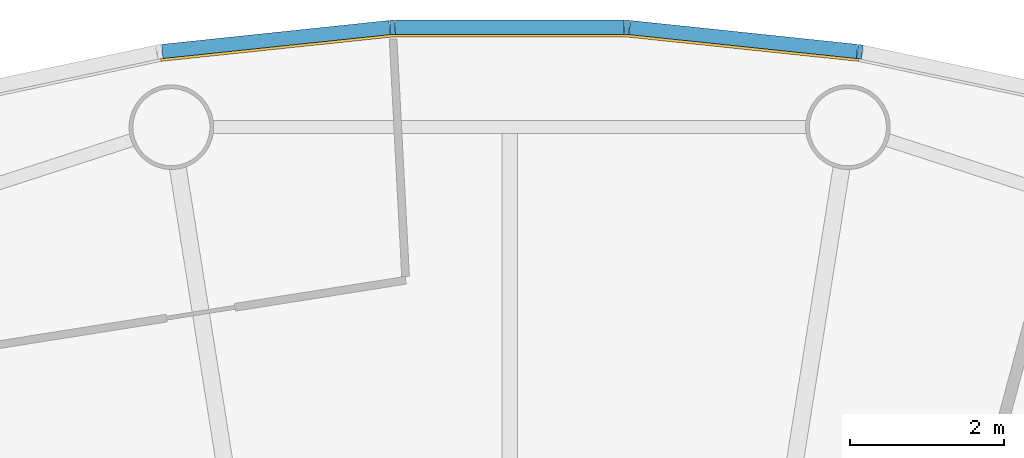
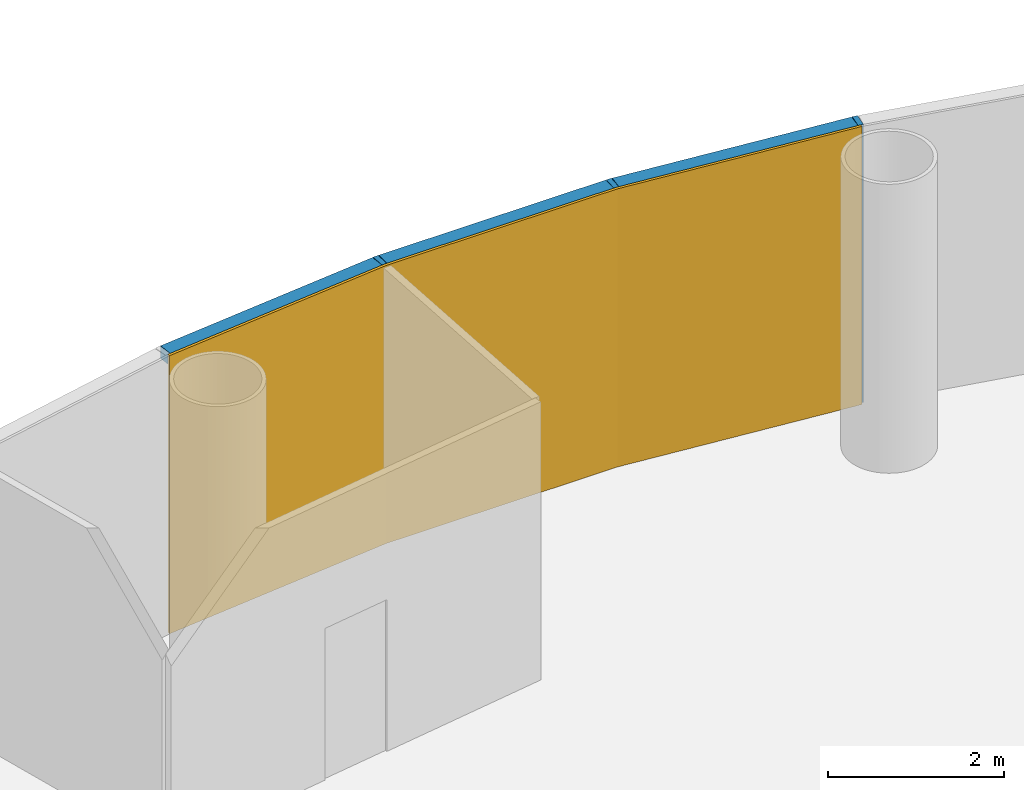
# One storey, part 10 of 12: 6 members, 1 curtain wall.
"""IFC4 building model written with IfcOpenShell, lengths in metres."""

import ifcopenshell
import ifcopenshell.guid

model = None  # the IFC model being written
_history = None  # IfcOwnerHistory: only IFC2X3 demands one
_inside = {}  # id of a spatial element -> (the spatial element, [elements in it])
_under = {}  # id of a project, library or spatial element -> (it, [spatial elements below it])
_declared = {}  # id of a project -> (the project, [libraries it declares])
_typed = {}  # id of a type object -> (the type object, [elements of that type])
_made_of = {}  # id of a material, layer set ... -> (it, [elements and type objects made of it])


def new_model(schema):
    """Start an empty IFC model of exactly this schema.

    Asked for "IFC4X3", IfcOpenShell would pick the latest addendum, in which some entities
    have other attributes; the version numbers below select the first issue.
    IFC2X3 requires an IfcOwnerHistory on every rooted entity: one is made here for all.
    """
    global model, _history
    if schema == "IFC4X3":
        model = ifcopenshell.file(schema_version=(4, 3, 0, 0))
    else:
        model = ifcopenshell.file(schema=schema)
    _inside.clear()
    _under.clear()
    _declared.clear()
    _typed.clear()
    _made_of.clear()
    _history = None
    if model.schema == "IFC2X3":
        org = make("IfcOrganization", Name="unknown")
        user = make(
            "IfcPersonAndOrganization",
            ThePerson=make("IfcPerson", FamilyName="unknown"),
            TheOrganization=org,
        )
        app = make(
            "IfcApplication",
            ApplicationDeveloper=org,
            Version="unknown",
            ApplicationFullName="unknown",
            ApplicationIdentifier="unknown",
        )
        _history = make(
            "IfcOwnerHistory",
            OwningUser=user,
            OwningApplication=app,
            ChangeAction="ADDED",
            CreationDate=0,
        )
    return model


def make(cls, **values):
    """One entity of the class cls with the attributes given. An attribute that is None is left unset."""
    return model.create_entity(
        cls, **{name: value for name, value in values.items() if value is not None}
    )


def rooted(cls, **values):
    """An entity with a GlobalId (a new one), such as an element, a storey or a relation."""
    return make(cls, GlobalId=ifcopenshell.guid.new(), OwnerHistory=_history, **values)


def si_unit(unit_type, name, prefix=None):
    """IfcSIUnit, for example si_unit("LENGTHUNIT", "METRE", prefix="MILLI")."""
    return make("IfcSIUnit", UnitType=unit_type, Prefix=prefix, Name=name)


def assignment(units):
    """IfcUnitAssignment: the units of a project."""
    return None if units is None else make("IfcUnitAssignment", Units=units)


def point(xyz):
    """IfcCartesianPoint."""
    return None if xyz is None else make("IfcCartesianPoint", Coordinates=xyz)


def direction(xyz):
    """IfcDirection."""
    return None if xyz is None else make("IfcDirection", DirectionRatios=xyz)


def frame(location, z_axis=None, x_axis=None):
    """IfcAxis2Placement3D, a coordinate frame: its origin and axes. An axis left out is left unset."""
    return make(
        "IfcAxis2Placement3D",
        Location=point(location),
        Axis=direction(z_axis),
        RefDirection=direction(x_axis),
    )


def frame_2d(location, x_axis=None):
    """IfcAxis2Placement2D, a coordinate frame in the plane: its origin and x axis."""
    return make(
        "IfcAxis2Placement2D", Location=point(location), RefDirection=direction(x_axis)
    )


def origin():
    """The frame at (0, 0, 0) with its axes left unset."""
    return frame((0.0, 0.0, 0.0))


def origin_2d():
    """The frame at (0, 0) in the plane with its x axis left unset."""
    return frame_2d((0.0, 0.0))


def place(relative_to, where):
    """IfcLocalPlacement: puts the frame where relative to a parent placement (None: the world)."""
    return make(
        "IfcLocalPlacement", PlacementRelTo=relative_to, RelativePlacement=where
    )


def context(
    kind, dimensions, precision=None, world=None, true_north=None, identifier=None
):
    """IfcGeometricRepresentationContext, for example the 3D "Model" context."""
    return make(
        "IfcGeometricRepresentationContext",
        ContextIdentifier=identifier,
        ContextType=kind,
        CoordinateSpaceDimension=dimensions,
        Precision=precision,
        WorldCoordinateSystem=world,
        TrueNorth=true_north,
    )


def subcontext(parent, identifier, kind, view, scale=None):
    """IfcGeometricRepresentationSubContext, for example "Body" below "Model"."""
    return make(
        "IfcGeometricRepresentationSubContext",
        ContextIdentifier=identifier,
        ContextType=kind,
        ParentContext=parent,
        TargetScale=scale,
        TargetView=view,
    )


def project(units=None, contexts=None):
    """IfcProject with its units and contexts."""
    return rooted(
        "IfcProject",
        Name="project",
        RepresentationContexts=contexts,
        UnitsInContext=assignment(units),
    )


def spatial(cls, under=None, at=None, **own):
    """A site, building, storey or space (cls), placed at a placement, below another one or the project."""
    s = rooted(cls, ObjectPlacement=at, **own)
    if under is not None:
        _under.setdefault(under.id(), (under, []))[1].append(s)
    return s


def polyline(points):
    """IfcPolyline through the points."""
    return make("IfcPolyline", Points=[point(p) for p in points])


def profile(cls, at=None, kind="AREA", **sizes):
    """A parametric profile (cls). Its sizes go by their IFC names, for example OverallWidth=200.0."""
    return make(cls, ProfileType=kind, Position=at, **sizes)


def rectangle(**sizes):
    """IfcRectangleProfileDef."""
    return profile("IfcRectangleProfileDef", **sizes)


def outline(outer, holes=None, kind="AREA"):
    """IfcArbitraryClosedProfileDef: a profile drawn as a closed curve; with holes, ...WithVoids."""
    if holes is None:
        return make("IfcArbitraryClosedProfileDef", ProfileType=kind, OuterCurve=outer)
    return make(
        "IfcArbitraryProfileDefWithVoids",
        ProfileType=kind,
        OuterCurve=outer,
        InnerCurves=holes,
    )


def extrude(swept, where, along, depth):
    """IfcExtrudedAreaSolid: the profile swept, set in the frame where, extruded along a direction by depth."""
    return make(
        "IfcExtrudedAreaSolid",
        SweptArea=swept,
        Position=where,
        ExtrudedDirection=direction(along),
        Depth=depth,
    )


def shape(context_of_items, identifier, shape_type, items):
    """IfcShapeRepresentation: the items that make up one representation, for example the "Body"."""
    return make(
        "IfcShapeRepresentation",
        ContextOfItems=context_of_items,
        RepresentationIdentifier=identifier,
        RepresentationType=shape_type,
        Items=items,
    )


def material(Name=None, Category=None):
    """IfcMaterial."""
    return make("IfcMaterial", Name=Name, Category=Category)


def layer(
    of_material, thickness, ventilated=None, Name=None, Category=None, Priority=None
):
    """IfcMaterialLayer: one layer of a wall or slab, of a material (None: an air gap)."""
    return make(
        "IfcMaterialLayer",
        Material=of_material,
        LayerThickness=thickness,
        IsVentilated=ventilated,
        Name=Name,
        Category=Category,
        Priority=Priority,
    )


def layer_set(layers, Name=None):
    """IfcMaterialLayerSet."""
    return make("IfcMaterialLayerSet", MaterialLayers=layers, LayerSetName=Name)


def material_profile(
    of_material, cross_section, Name=None, Category=None, Priority=None
):
    """IfcMaterialProfile: a cross section and its material."""
    return make(
        "IfcMaterialProfile",
        Name=Name,
        Material=of_material,
        Profile=cross_section,
        Priority=Priority,
        Category=Category,
    )


def profile_set(profiles, Name=None, composite=None):
    """IfcMaterialProfileSet."""
    return make(
        "IfcMaterialProfileSet",
        Name=Name,
        MaterialProfiles=profiles,
        CompositeProfile=composite,
    )


def made_of(thing, what):
    """Note that an element or type object is made of a material, layer set ...; save() writes the relation."""
    if what is not None:
        _made_of.setdefault(what.id(), (what, []))[1].append(thing)
    return thing


def type_object(cls, material=None, **own):
    """A type object (cls), such as IfcWallType, which elements share."""
    return made_of(rooted(cls, **own), material)


def element(
    cls,
    number,
    at=None,
    inside=None,
    cuts=None,
    type_object=None,
    material=None,
    context=None,
    identifier="Body",
    shape_type=None,
    held_by="IfcProductDefinitionShape",
    body=None,
    shapes=None,
    **own,
):
    """One element of the class cls, such as IfcWall. Its Tag is "e" and its number.

    at: its placement. inside: the storey or other place that contains it. cuts: it is an
    opening in that element (IfcRelVoidsElement). A single representation is given by context,
    identifier, shape_type and body (its items); several are given by shapes. held_by: the class
    of the entity that holds the representations. save() writes the other relations.
    """
    e = rooted(cls, Tag="e%d" % number, ObjectPlacement=at, **own)
    if body is not None:
        shapes = [shape(context, identifier, shape_type, body)]
    if shapes is not None:
        e.Representation = make(held_by, Representations=shapes)
    if inside is not None:
        _inside.setdefault(inside.id(), (inside, []))[1].append(e)
    if cuts is not None:
        rooted(
            "IfcRelVoidsElement", RelatingBuildingElement=cuts, RelatedOpeningElement=e
        )
    if type_object is not None:
        _typed.setdefault(type_object.id(), (type_object, []))[1].append(e)
    return made_of(e, material)


def aggregate(whole, parts):
    """IfcRelAggregates: a whole, such as a stair, and the parts it consists of."""
    return rooted("IfcRelAggregates", RelatingObject=whole, RelatedObjects=parts)


def save(model, path):
    """Write the relations noted so far, then the file.

    IfcRelAggregates (storeys below a building ...), IfcRelContainedInSpatialStructure (elements
    in a storey), IfcRelDefinesByType, IfcRelAssociatesMaterial and IfcRelDeclares: one each for
    every whole, place, type object, material and project.
    """
    for whole, parts in _under.values():
        aggregate(whole, parts)
    for where, things in _inside.values():
        rooted(
            "IfcRelContainedInSpatialStructure",
            RelatedElements=things,
            RelatingStructure=where,
        )
    for kind, things in _typed.values():
        rooted("IfcRelDefinesByType", RelatedObjects=things, RelatingType=kind)
    for what, things in _made_of.values():
        rooted("IfcRelAssociatesMaterial", RelatedObjects=things, RelatingMaterial=what)
    for by, libraries in _declared.values():
        rooted("IfcRelDeclares", RelatingContext=by, RelatedDefinitions=libraries)
    model.write(path)


model = new_model("IFC4")

# Units and contexts
model_context = context("Model", 3, precision=1e-05, world=origin(), true_north=direction((0.0, 1.0)))
body_context = subcontext(model_context, "Body", "Model", "MODEL_VIEW")
ifc_project = project(units=[si_unit("LENGTHUNIT", "METRE"), si_unit("AREAUNIT", "SQUARE_METRE"), si_unit("VOLUMEUNIT", "CUBIC_METRE"), si_unit("PLANEANGLEUNIT", "RADIAN"), si_unit("MASSUNIT", "GRAM", prefix="KILO")], contexts=[model_context])

# Member
ifc_material_1 = material(Name="Anodised aluminium", Category="aluminium")
ifc_material_profile_1 = material_profile(ifc_material_1, rectangle(XDim=0.06494140625, YDim=0.18505859375, at=origin_2d()), Name="Mullion 65 x 185 mm anodised aluminium")
ifc_profile_set_1 = profile_set([ifc_material_profile_1], Name="Anodised aluminium")
member_type_1 = type_object("IfcMemberType", Name="Mullion 65 x 185 mm anodised aluminium", PredefinedType="MULLION", material=ifc_profile_set_1)
site_placement = place(None, origin())
building_placement = place(site_placement, origin())
storey_placement = place(building_placement, frame((0.0, 0.0, 148.0)))
member_1_placement = place(storey_placement, frame((94.551025390625, 108.734375, 0.0), z_axis=(0.0, 0.0, 1.0), x_axis=(-0.987688340595, 0.15643446504, 0.0)))
member_1 = element("IfcMember", 1, at=member_1_placement, type_object=member_type_1, Name="MULLION L33-12", PredefinedType="MULLION", context=body_context, shape_type="SweptSolid", body=[
    extrude(rectangle(XDim=0.06494140625, YDim=0.18505859375, at=origin_2d()), origin(), (0.0, 0.0, 1.0), 3.85009765625),
])

member_2_placement = place(storey_placement, frame((91.522705078125, 109.052734375, 0.0), z_axis=(0.0, 0.0, 1.0), x_axis=(-0.998629534755, 0.052335956243, 0.0)))
member_2 = element("IfcMember", 2, at=member_2_placement, type_object=member_type_1, Name="MULLION L33-13", PredefinedType="MULLION", context=body_context, shape_type="SweptSolid", body=[
    extrude(rectangle(XDim=0.06494140625, YDim=0.18505859375, at=origin_2d()), origin(), (0.0, 0.0, 1.0), 3.85009765625),
])

member_3_placement = place(storey_placement, frame((88.477294921875, 109.052734375, 0.0), z_axis=(0.0, 0.0, 1.0), x_axis=(-0.998629534755, -0.052335956243, 0.0)))
member_3 = element("IfcMember", 3, at=member_3_placement, type_object=member_type_1, Name="MULLION L33-14", PredefinedType="MULLION", context=body_context, shape_type="SweptSolid", body=[
    extrude(rectangle(XDim=0.06494140625, YDim=0.18505859375, at=origin_2d()), origin(), (0.0, 0.0, 1.0), 3.85009765625),
])

ifc_material_2 = material(Name="Anodised aluminium", Category="aluminium")
ifc_material_profile_2 = material_profile(ifc_material_2, rectangle(XDim=0.18505859375, YDim=0.175048828125, at=origin_2d()), Name="Transom 175 x 185 mm anodised aluminium")
ifc_profile_set_2 = profile_set([ifc_material_profile_2], Name="Anodised aluminium")
member_type_2 = type_object("IfcMemberType", Name="Transom 175 x 185 mm anodised aluminium", PredefinedType="USERDEFINED", material=ifc_profile_set_2)
member_4_placement = place(storey_placement, frame((94.513916015625, 108.73828125, 3.762451171875), z_axis=(-0.994519855197, 0.104547872381, 0.0), x_axis=(-0.104547872381, -0.994519855197, 0.0)))
member_4 = element("IfcMember", 4, at=member_4_placement, type_object=member_type_2, Name="TRANSOM L33-12", ObjectType="TRANSOM", PredefinedType="USERDEFINED", context=body_context, shape_type="SweptSolid", body=[
    extrude(rectangle(XDim=0.18505859375, YDim=0.175048828125, at=origin_2d()), origin(), (0.0, 0.0, 1.0), 2.970458984375),
])

member_5_placement = place(storey_placement, frame((91.4853515625, 109.052734375, 3.762451171875), z_axis=(-1.0, 0.0, 0.0), x_axis=(0.0, -1.0, 0.0)))
member_5 = element("IfcMember", 5, at=member_5_placement, type_object=member_type_2, Name="TRANSOM L33-13", ObjectType="TRANSOM", PredefinedType="USERDEFINED", context=body_context, shape_type="SweptSolid", body=[
    extrude(rectangle(XDim=0.18505859375, YDim=0.175048828125, at=origin_2d()), origin(), (0.0, 0.0, 1.0), 2.970703125),
])

member_6_placement = place(storey_placement, frame((88.440185546875, 109.048828125, 3.762451171875), z_axis=(-0.994519855197, -0.104547872381, 0.0), x_axis=(0.104547872381, -0.994519855197, 0.0)))
member_6 = element("IfcMember", 6, at=member_6_placement, type_object=member_type_2, Name="TRANSOM L33-14", ObjectType="TRANSOM", PredefinedType="USERDEFINED", context=body_context, shape_type="SweptSolid", body=[
    extrude(rectangle(XDim=0.18505859375, YDim=0.175048828125, at=origin_2d()), origin(), (0.0, 0.0, 1.0), 2.970458984375),
])

# Site, building, storey
site = spatial("IfcSite", under=ifc_project, at=site_placement, CompositionType="ELEMENT")
building = spatial("IfcBuilding", under=site, at=building_placement, Name="Entoto Ring Tower", CompositionType="ELEMENT")
storey = spatial("IfcBuildingStorey", under=building, at=storey_placement, Name="L33", CompositionType="ELEMENT", Elevation=148.0)

# Curtain wall
ifc_material_3 = material(Name="Clear low-iron glass", Category="glass")
ifc_layer = layer(ifc_material_3, 0.033935546875)
ifc_layer_set = layer_set([ifc_layer], Name="Clear low-iron glass")
curtain_wall_type = type_object("IfcCurtainWallType", Name="Curtain wall system CW3 glazing 34 mm", PredefinedType="NOTDEFINED", material=ifc_layer_set)
curtain_wall_placement = place(storey_placement, origin())
curtain_wall = element("IfcCurtainWall", 7, at=curtain_wall_placement, inside=storey, type_object=curtain_wall_type, Name="CW3 L33-05", PredefinedType="NOTDEFINED", context=body_context, shape_type="SweptSolid", body=[
    extrude(outline(polyline([(94.53662109375, 108.64306640625), (91.517822265625, 108.960205078125), (88.482177734375, 108.960205078125), (85.46337890625, 108.64306640625), (85.46875, 108.609375), (88.484130859375, 108.92626953125), (91.515869140625, 108.92626953125), (94.53125, 108.609375), (94.53662109375, 108.64306640625)])), origin(), (0.0, 0.0, 1.0), 3.85009765625),
])

aggregate(curtain_wall, [member_1, member_2, member_3, member_4, member_5, member_6])

save(model, "model.ifc")
